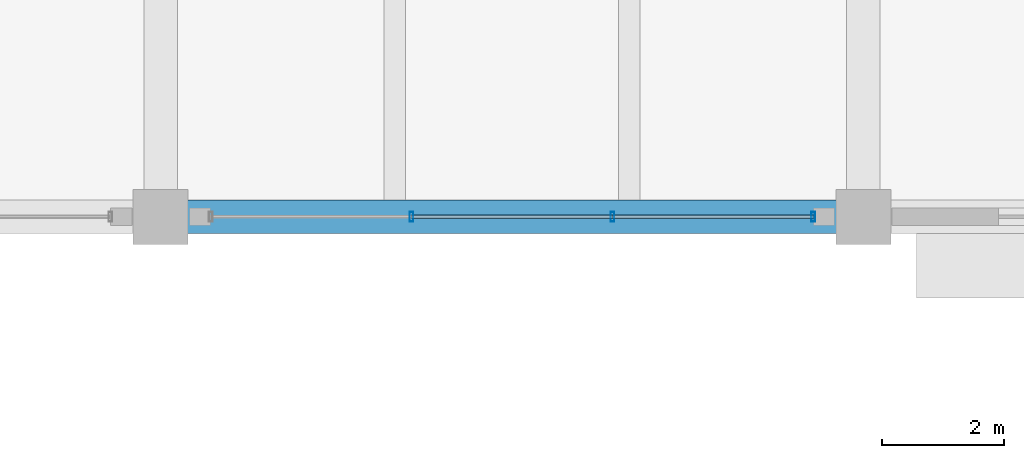
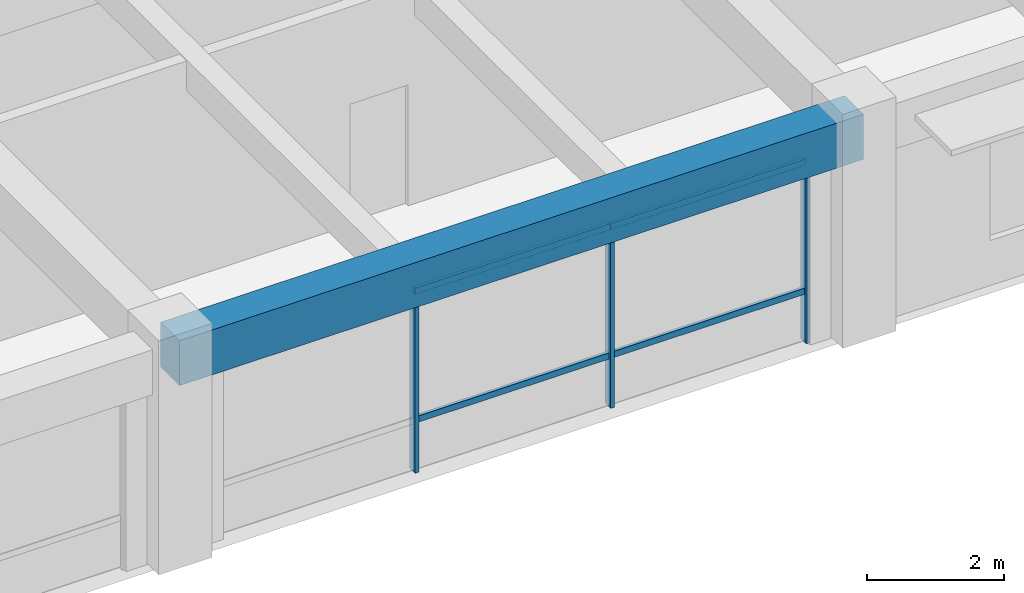
# One storey, part 6 of 33: 7 members, 1 beam, 1 element without a shape of its own.
"""IFC4 building model written with IfcOpenShell, lengths in metres."""

from ifc_helpers import new_model, si_unit, direction, frame, origin, origin_2d, place, context, subcontext, project, spatial, rectangle, hollow_rectangle, extrude, material, material_profile, profile_set, type_object, element, aggregate, save


model = new_model("IFC4")

# Units and contexts
model_context = context("Model", 3, precision=1e-05, world=origin(), true_north=direction((0.0, 1.0)))
body_context = subcontext(model_context, "Body", "Model", "MODEL_VIEW")
ifc_project = project(units=[si_unit("LENGTHUNIT", "METRE"), si_unit("AREAUNIT", "SQUARE_METRE"), si_unit("VOLUMEUNIT", "CUBIC_METRE"), si_unit("PLANEANGLEUNIT", "RADIAN"), si_unit("MASSUNIT", "GRAM", prefix="KILO")], contexts=[model_context])

# Site, building, storey
site_placement = place(None, origin())
site = spatial("IfcSite", under=ifc_project, at=site_placement, CompositionType="ELEMENT")
building_placement = place(site_placement, origin())
building = spatial("IfcBuilding", under=site, at=building_placement, Name="Ologun Quay Terminus", CompositionType="ELEMENT")
storey_placement = place(building_placement, frame((0.0, 0.0, 18.300048828125)))
storey = spatial("IfcBuildingStorey", under=building, at=storey_placement, Name="L04", CompositionType="ELEMENT", Elevation=18.300048828125)

# Curtain wall, members
ifc_material_1 = material(Name="Aluminium 6063-T6", Category="aluminium")
curtain_wall_type = type_object("IfcCurtainWallType", Name="Waterfront Pavilion Tea Salon Curtain Wall L04 10600x3800", PredefinedType="USERDEFINED", material=ifc_material_1)
curtain_wall_placement = place(storey_placement, origin())
curtain_wall = element("IfcCurtainWall", 1, at=curtain_wall_placement, inside=storey, type_object=curtain_wall_type, Name="CW-26 Curtain Wall CW-L04-116", ObjectType="UNITISED CURTAIN WALL", PredefinedType="USERDEFINED")
ifc_material_2 = material(Name="Aluminium 6063-T6", Category="aluminium")
ifc_material_profile_1 = material_profile(ifc_material_2, hollow_rectangle(XDim=0.06005859375, YDim=0.159912109375, WallThickness=0.00390625, at=origin_2d()), Name="ALU 160x60x4")
ifc_profile_set_1 = profile_set([ifc_material_profile_1], Name="Aluminium 6063-T6")
member_type_1 = type_object("IfcMemberType", Name="Courtyard Screen Mullion 160x65", PredefinedType="MULLION", material=ifc_profile_set_1)
member_1_placement = place(storey_placement, frame((38.606689453125, 85.800048828125, 0.0), z_axis=(0.0, 0.0, 1.0), x_axis=(1.0, 0.0, 0.0)))
member_1 = element("IfcMember", 2, at=member_1_placement, type_object=member_type_1, Name="CW-L04-116 Mullion 2", PredefinedType="MULLION", context=body_context, shape_type="SweptSolid", body=[
    extrude(hollow_rectangle(XDim=0.06005859375, YDim=0.159912109375, WallThickness=0.00390625, at=origin_2d()), origin(), (0.0, 0.0, 1.0), 3.889892578125),
])
member_2_placement = place(storey_placement, frame((41.893310546875, 85.800048828125, 0.0), z_axis=(0.0, 0.0, 1.0), x_axis=(1.0, 0.0, 0.0)))
member_2 = element("IfcMember", 3, at=member_2_placement, type_object=member_type_1, Name="CW-L04-116 Mullion 3", PredefinedType="MULLION", context=body_context, shape_type="SweptSolid", body=[
    extrude(hollow_rectangle(XDim=0.06005859375, YDim=0.159912109375, WallThickness=0.00390625, at=origin_2d()), origin(), (0.0, 0.0, 1.0), 3.889892578125),
])
member_3_placement = place(storey_placement, frame((45.179931640625, 85.800048828125, 0.0), z_axis=(0.0, 0.0, 1.0), x_axis=(1.0, 0.0, 0.0)))
member_3 = element("IfcMember", 4, at=member_3_placement, type_object=member_type_1, Name="CW-L04-116 Mullion 4", PredefinedType="MULLION", context=body_context, shape_type="SweptSolid", body=[
    extrude(hollow_rectangle(XDim=0.06005859375, YDim=0.159912109375, WallThickness=0.00390625, at=origin_2d()), origin(), (0.0, 0.0, 1.0), 3.889892578125),
])
ifc_material_3 = material(Name="Aluminium 6063-T6", Category="aluminium")
ifc_material_profile_2 = material_profile(ifc_material_3, hollow_rectangle(XDim=0.054931640625, YDim=0.110107421875, WallThickness=0.00390625, at=origin_2d()), Name="ALU 110x55x4")
ifc_profile_set_2 = profile_set([ifc_material_profile_2], Name="Aluminium 6063-T6")
member_type_2 = type_object("IfcMemberType", Name="Courtyard Screen Transom 110x55", PredefinedType="USERDEFINED", material=ifc_profile_set_2)
member_4_placement = place(storey_placement, frame((38.606689453125, 85.800048828125, 0.89990234375), z_axis=(1.0, 0.0, 0.0), x_axis=(0.0, 1.0, 0.0)))
member_4 = element("IfcMember", 5, at=member_4_placement, type_object=member_type_2, Name="CW-L04-116 Transom B2-1", ObjectType="TRANSOM", PredefinedType="USERDEFINED", context=body_context, shape_type="SweptSolid", body=[
    extrude(hollow_rectangle(XDim=0.054931640625, YDim=0.110107421875, WallThickness=0.00390625, at=origin_2d()), origin(), (0.0, 0.0, 1.0), 3.28662109375),
])
member_5_placement = place(storey_placement, frame((38.606689453125, 85.800048828125, 3.18994140625), z_axis=(1.0, 0.0, 0.0), x_axis=(0.0, 1.0, 0.0)))
member_5 = element("IfcMember", 6, at=member_5_placement, type_object=member_type_2, Name="CW-L04-116 Transom B2-2", ObjectType="TRANSOM", PredefinedType="USERDEFINED", context=body_context, shape_type="SweptSolid", body=[
    extrude(hollow_rectangle(XDim=0.054931640625, YDim=0.110107421875, WallThickness=0.00390625, at=origin_2d()), origin(), (0.0, 0.0, 1.0), 3.28662109375),
])
member_6_placement = place(storey_placement, frame((41.893310546875, 85.800048828125, 0.89990234375), z_axis=(1.0, 0.0, 0.0), x_axis=(0.0, 1.0, 0.0)))
member_6 = element("IfcMember", 7, at=member_6_placement, type_object=member_type_2, Name="CW-L04-116 Transom B3-1", ObjectType="TRANSOM", PredefinedType="USERDEFINED", context=body_context, shape_type="SweptSolid", body=[
    extrude(hollow_rectangle(XDim=0.054931640625, YDim=0.110107421875, WallThickness=0.00390625, at=origin_2d()), origin(), (0.0, 0.0, 1.0), 3.28662109375),
])
member_7_placement = place(storey_placement, frame((41.893310546875, 85.800048828125, 3.18994140625), z_axis=(1.0, 0.0, 0.0), x_axis=(0.0, 1.0, 0.0)))
member_7 = element("IfcMember", 8, at=member_7_placement, type_object=member_type_2, Name="CW-L04-116 Transom B3-2", ObjectType="TRANSOM", PredefinedType="USERDEFINED", context=body_context, shape_type="SweptSolid", body=[
    extrude(hollow_rectangle(XDim=0.054931640625, YDim=0.110107421875, WallThickness=0.00390625, at=origin_2d()), origin(), (0.0, 0.0, 1.0), 3.28662109375),
])
aggregate(curtain_wall, [member_1, member_2, member_3, member_4, member_5, member_6, member_7])

# Beam
ifc_material_4 = material(Name="Concrete C40/50", Category="concrete")
ifc_material_profile_3 = material_profile(ifc_material_4, rectangle(XDim=0.550048828125, YDim=0.800048828125, at=origin_2d()), Name="RC 550x800")
ifc_profile_set_3 = profile_set([ifc_material_profile_3], Name="Concrete C40/50")
beam_type = type_object("IfcBeamType", Name="Courtyard Wing Primary Girder 550x800", PredefinedType="BEAM", material=ifc_profile_set_3)
beam_placement = place(storey_placement, frame((34.5, 85.800048828125, 3.5), z_axis=(1.0, 0.0, 0.0), x_axis=(0.0, 1.0, 0.0)))
element("IfcBeam", 9, at=beam_placement, inside=storey, type_object=beam_type, Name="B4 Beam 4/G2 L04", PredefinedType="BEAM", context=body_context, shape_type="SweptSolid", body=[
    extrude(rectangle(XDim=0.550048828125, YDim=0.800048828125, at=origin_2d()), origin(), (0.0, 0.0, 1.0), 11.5),
])

save(model, "model.ifc")
